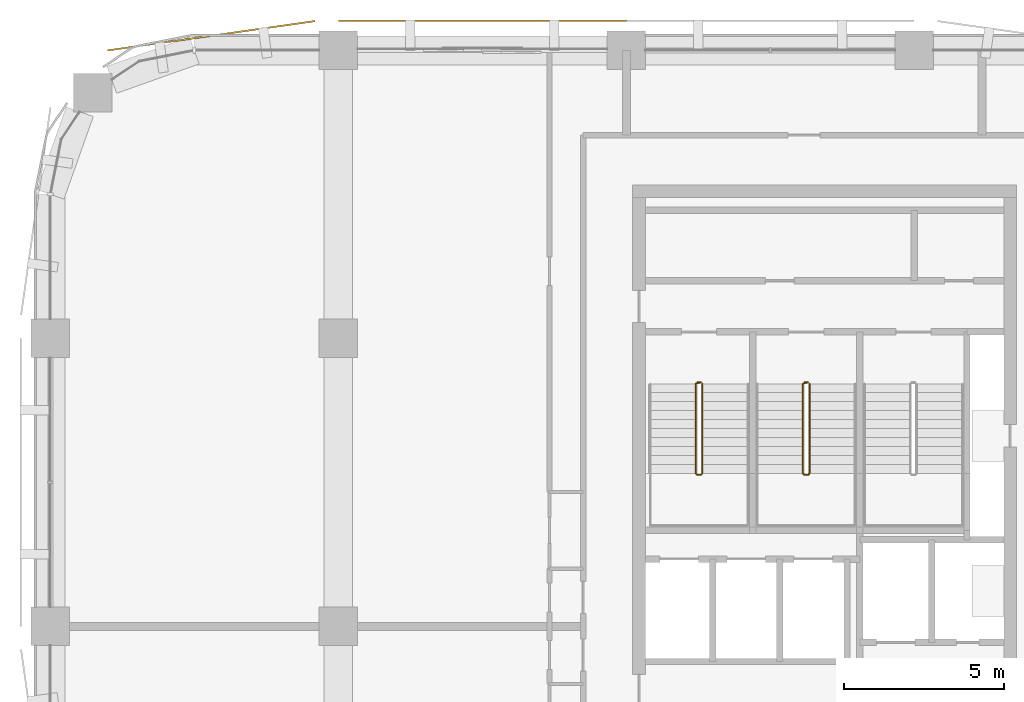
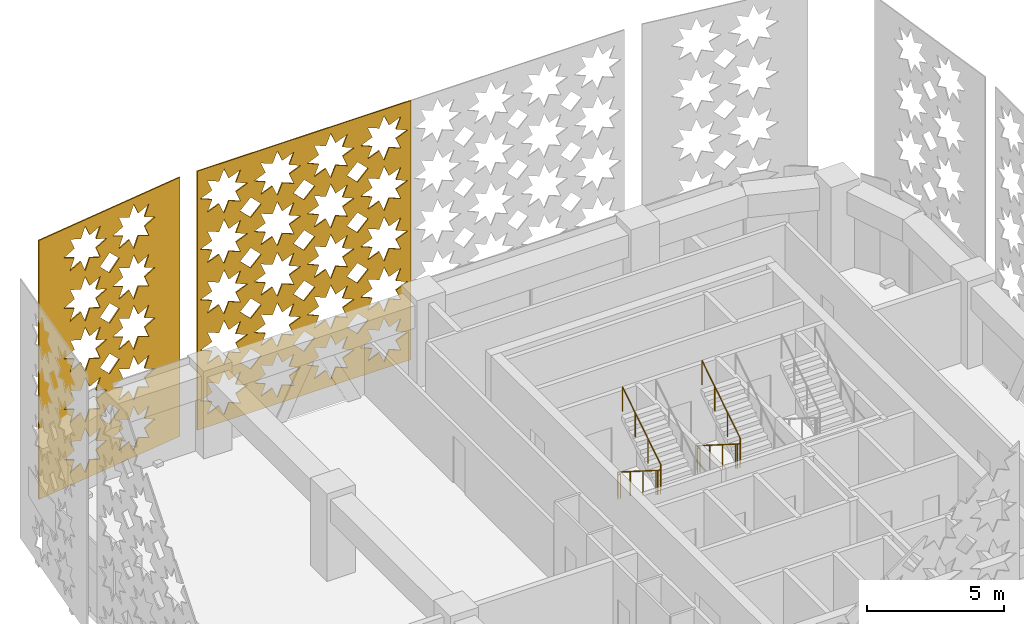
# One storey, part 12 of 14: 2 coverings, 2 railings.
"""IFC4 building model written with IfcOpenShell, lengths in metres."""

from ifc_helpers import new_model, si_unit, direction, frame, origin, origin_2d, place, context, subcontext, project, spatial, polyline, circle, outline, extrude, material, layer, layer_set, type_object, element, save


model = new_model("IFC4")

# Units and contexts
model_context = context("Model", 3, precision=1e-05, world=origin(), true_north=direction((0.0, 1.0)))
body_context = subcontext(model_context, "Body", "Model", "MODEL_VIEW")
ifc_project = project(units=[si_unit("LENGTHUNIT", "METRE"), si_unit("AREAUNIT", "SQUARE_METRE"), si_unit("VOLUMEUNIT", "CUBIC_METRE"), si_unit("PLANEANGLEUNIT", "RADIAN"), si_unit("MASSUNIT", "GRAM", prefix="KILO")], contexts=[model_context])

# Site, building, storey
site_placement = place(None, origin())
site = spatial("IfcSite", under=ifc_project, at=site_placement, CompositionType="ELEMENT")
building_placement = place(site_placement, origin())
building = spatial("IfcBuilding", under=site, at=building_placement, Name="Tessera Arch", CompositionType="ELEMENT")
storey_placement = place(building_placement, frame((0.0, 0.0, 269.60009765625)))
storey = spatial("IfcBuildingStorey", under=building, at=storey_placement, Name="L65", CompositionType="ELEMENT", Elevation=269.60009765625)

# Coverings
ifc_material_1 = material(Name="Anodised aluminium pale metal", Category="aluminium")
ifc_layer_1 = layer(ifc_material_1, 0.050048828125)
ifc_layer_set_1 = layer_set([ifc_layer_1], Name="Pierced screen panel corner bay")
covering_type_1 = type_object("IfcCoveringType", Name="Pierced screen panel corner bay", PredefinedType="CLADDING", material=ifc_layer_set_1)
covering_1_placement = place(storey_placement, frame((26.27392578125, 54.89111328125, 11.699951171875), z_axis=(0.140074186016, -0.990141011378, 0.0), x_axis=(-0.990141011378, -0.140074186016, 0.0)))
element("IfcCovering", 1, at=covering_1_placement, inside=storey, type_object=covering_type_1, Name="SCREEN pierced panel N54.18/3 L65-L67", PredefinedType="CLADDING", context=body_context, shape_type="SweptSolid", body=[
    extrude(outline(polyline([(0.0, 0.0), (6.546475218445481, 0.0), (6.546475218445481, 11.5400390625), (0.0, 11.5400390625), (0.0, 0.0)]), holes=[polyline([(3.1378926073747033, 10.27001953125), (2.646957140062835, 10.06298828125), (2.8479028079497066, 9.570068359375), (2.354999273675671, 9.77099609375), (2.147907671256942, 9.280029296875), (1.941990539265672, 9.77099609375), (1.4481200704102128, 9.570068359375), (1.6490657382970841, 10.06298828125), (1.158130270985216, 10.27001953125), (1.6490657382970841, 10.47705078125), (1.4481200704102128, 10.969970703125), (1.941990539265672, 10.76904296875), (2.147907671256942, 11.260009765625), (2.354999273675671, 10.76904296875), (2.8479028079497066, 10.969970703125), (2.646957140062835, 10.47705078125), (3.1378926073747033, 10.27001953125)]), polyline([(3.1378926073747033, 8.02001953125), (2.646957140062835, 7.81298828125), (2.8479028079497066, 7.320068359375), (2.354999273675671, 7.52099609375), (2.147907671256942, 7.030029296875), (1.941990539265672, 7.52099609375), (1.4481200704102128, 7.320068359375), (1.6490657382970841, 7.81298828125), (1.158130270985216, 8.02001953125), (1.6490657382970841, 8.22705078125), (1.4481200704102128, 8.719970703125), (1.941990539265672, 8.51904296875), (2.147907671256942, 9.010009765625), (2.354999273675671, 8.51904296875), (2.8479028079497066, 8.719970703125), (2.646957140062835, 8.22705078125), (3.1378926073747033, 8.02001953125)]), polyline([(3.1378926073747033, 5.77001953125), (2.646957140062835, 5.56298828125), (2.8479028079497066, 5.070068359375), (2.354999273675671, 5.27099609375), (2.147907671256942, 4.780029296875), (1.941990539265672, 5.27099609375), (1.4481200704102128, 5.070068359375), (1.6490657382970841, 5.56298828125), (1.158130270985216, 5.77001953125), (1.6490657382970841, 5.97705078125), (1.4481200704102128, 6.469970703125), (1.941990539265672, 6.26904296875), (2.147907671256942, 6.760009765625), (2.354999273675671, 6.26904296875), (2.8479028079497066, 6.469970703125), (2.646957140062835, 5.97705078125), (3.1378926073747033, 5.77001953125)]), polyline([(3.1378926073747033, 3.52001953125), (2.646957140062835, 3.31298828125), (2.8479028079497066, 2.820068359375), (2.354999273675671, 3.02099609375), (2.147907671256942, 2.530029296875), (1.941990539265672, 3.02099609375), (1.4481200704102128, 2.820068359375), (1.6490657382970841, 3.31298828125), (1.158130270985216, 3.52001953125), (1.6490657382970841, 3.72705078125), (1.4481200704102128, 4.219970703125), (1.941990539265672, 4.01904296875), (2.147907671256942, 4.510009765625), (2.354999273675671, 4.01904296875), (2.8479028079497066, 4.219970703125), (2.646957140062835, 3.72705078125), (3.1378926073747033, 3.52001953125)]), polyline([(3.1378926073747033, 1.27001953125), (2.646957140062835, 1.06298828125), (2.8479028079497066, 0.570068359375), (2.354999273675671, 0.77099609375), (2.147907671256942, 0.280029296875), (1.941990539265672, 0.77099609375), (1.4481200704102128, 0.570068359375), (1.6490657382970841, 1.06298828125), (1.158130270985216, 1.27001953125), (1.6490657382970841, 1.47705078125), (1.4481200704102128, 1.969970703125), (1.941990539265672, 1.76904296875), (2.147907671256942, 2.260009765625), (2.354999273675671, 1.76904296875), (2.8479028079497066, 1.969970703125), (2.646957140062835, 1.47705078125), (3.1378926073747033, 1.27001953125)]), polyline([(5.387861480169554, 10.27001953125), (4.896926012857686, 10.06298828125), (5.097871680744557, 9.570068359375), (4.604968146470521, 9.77099609375), (4.398118277697149, 9.280029296875), (4.191959412060523, 9.77099609375), (3.698088943205064, 9.570068359375), (3.899034611091935, 10.06298828125), (3.408099143780067, 10.27001953125), (3.899034611091935, 10.47705078125), (3.698088943205064, 10.969970703125), (4.191959412060523, 10.76904296875), (4.398118277697149, 11.260009765625), (4.604968146470521, 10.76904296875), (5.097871680744557, 10.969970703125), (4.896926012857686, 10.47705078125), (5.387861480169554, 10.27001953125)]), polyline([(5.387861480169554, 8.02001953125), (4.896926012857686, 7.81298828125), (5.097871680744557, 7.320068359375), (4.604968146470521, 7.52099609375), (4.398118277697149, 7.030029296875), (4.191959412060523, 7.52099609375), (3.698088943205064, 7.320068359375), (3.899034611091935, 7.81298828125), (3.408099143780067, 8.02001953125), (3.899034611091935, 8.22705078125), (3.698088943205064, 8.719970703125), (4.191959412060523, 8.51904296875), (4.398118277697149, 9.010009765625), (4.604968146470521, 8.51904296875), (5.097871680744557, 8.719970703125), (4.896926012857686, 8.22705078125), (5.387861480169554, 8.02001953125)]), polyline([(5.387861480169554, 5.77001953125), (4.896926012857686, 5.56298828125), (5.097871680744557, 5.070068359375), (4.604968146470521, 5.27099609375), (4.398118277697149, 4.780029296875), (4.191959412060523, 5.27099609375), (3.698088943205064, 5.070068359375), (3.899034611091935, 5.56298828125), (3.408099143780067, 5.77001953125), (3.899034611091935, 5.97705078125), (3.698088943205064, 6.469970703125), (4.191959412060523, 6.26904296875), (4.398118277697149, 6.760009765625), (4.604968146470521, 6.26904296875), (5.097871680744557, 6.469970703125), (4.896926012857686, 5.97705078125), (5.387861480169554, 5.77001953125)]), polyline([(5.387861480169554, 3.52001953125), (4.896926012857686, 3.31298828125), (5.097871680744557, 2.820068359375), (4.604968146470521, 3.02099609375), (4.398118277697149, 2.530029296875), (4.191959412060523, 3.02099609375), (3.698088943205064, 2.820068359375), (3.899034611091935, 3.31298828125), (3.408099143780067, 3.52001953125), (3.899034611091935, 3.72705078125), (3.698088943205064, 4.219970703125), (4.191959412060523, 4.01904296875), (4.398118277697149, 4.510009765625), (4.604968146470521, 4.01904296875), (5.097871680744557, 4.219970703125), (4.896926012857686, 3.72705078125), (5.387861480169554, 3.52001953125)]), polyline([(5.387861480169554, 1.27001953125), (4.896926012857686, 1.06298828125), (5.097871680744557, 0.570068359375), (4.604968146470521, 0.77099609375), (4.398118277697149, 0.280029296875), (4.191959412060523, 0.77099609375), (3.698088943205064, 0.570068359375), (3.899034611091935, 1.06298828125), (3.408099143780067, 1.27001953125), (3.899034611091935, 1.47705078125), (3.698088943205064, 1.969970703125), (4.191959412060523, 1.76904296875), (4.398118277697149, 2.260009765625), (4.604968146470521, 1.76904296875), (5.097871680744557, 1.969970703125), (4.896926012857686, 1.47705078125), (5.387861480169554, 1.27001953125)]), polyline([(3.7229828105764913, 9.14501953125), (3.2729958755773856, 8.695068359375), (2.823008940578279, 9.14501953125), (3.2729958755773856, 9.594970703125), (3.7229828105764913, 9.14501953125)]), polyline([(3.7229828105764913, 6.89501953125), (3.2729958755773856, 6.445068359375), (2.823008940578279, 6.89501953125), (3.2729958755773856, 7.344970703125), (3.7229828105764913, 6.89501953125)]), polyline([(3.7229828105764913, 4.64501953125), (3.2729958755773856, 4.195068359375), (2.823008940578279, 4.64501953125), (3.2729958755773856, 5.094970703125), (3.7229828105764913, 4.64501953125)]), polyline([(3.7229828105764913, 2.39501953125), (3.2729958755773856, 1.945068359375), (2.823008940578279, 2.39501953125), (3.2729958755773856, 2.844970703125), (3.7229828105764913, 2.39501953125)])]), origin(), (0.0, 0.0, -1.0), 0.050048828125),
])
ifc_material_2 = material(Name="Anodised aluminium pale metal", Category="aluminium")
ifc_layer_2 = layer(ifc_material_2, 0.050048828125)
ifc_layer_set_2 = layer_set([ifc_layer_2], Name="Pierced screen panel straight bay")
covering_type_2 = type_object("IfcCoveringType", Name="Pierced screen panel straight bay", PredefinedType="CLADDING", material=ifc_layer_set_2)
covering_2_placement = place(storey_placement, frame((36.0, 54.89990234375, 11.699951171875), z_axis=(0.0, -1.0, 0.0), x_axis=(-1.0, 0.0, 0.0)))
element("IfcCovering", 2, at=covering_2_placement, inside=storey, type_object=covering_type_2, Name="SCREEN pierced panel N54.18/2 L65-L67", PredefinedType="CLADDING", context=body_context, shape_type="SweptSolid", body=[
    extrude(outline(polyline([(0.0, 0.0), (9.0, 0.0), (9.0, 11.5400390625), (0.0, 11.5400390625), (0.0, 0.0)]), holes=[polyline([(2.114990234375, 10.27001953125), (1.6240234375, 10.06298828125), (1.824951171875, 9.570068359375), (1.33203125, 9.77099609375), (1.125, 9.280029296875), (0.91796875, 9.77099609375), (0.425048828125, 9.570068359375), (0.6259765625, 10.06298828125), (0.135009765625, 10.27001953125), (0.6259765625, 10.47705078125), (0.425048828125, 10.969970703125), (0.91796875, 10.76904296875), (1.125, 11.260009765625), (1.33203125, 10.76904296875), (1.824951171875, 10.969970703125), (1.6240234375, 10.47705078125), (2.114990234375, 10.27001953125)]), polyline([(2.114990234375, 8.02001953125), (1.6240234375, 7.81298828125), (1.824951171875, 7.320068359375), (1.33203125, 7.52099609375), (1.125, 7.030029296875), (0.91796875, 7.52099609375), (0.425048828125, 7.320068359375), (0.6259765625, 7.81298828125), (0.135009765625, 8.02001953125), (0.6259765625, 8.22705078125), (0.425048828125, 8.719970703125), (0.91796875, 8.51904296875), (1.125, 9.010009765625), (1.33203125, 8.51904296875), (1.824951171875, 8.719970703125), (1.6240234375, 8.22705078125), (2.114990234375, 8.02001953125)]), polyline([(2.114990234375, 5.77001953125), (1.6240234375, 5.56298828125), (1.824951171875, 5.070068359375), (1.33203125, 5.27099609375), (1.125, 4.780029296875), (0.91796875, 5.27099609375), (0.425048828125, 5.070068359375), (0.6259765625, 5.56298828125), (0.135009765625, 5.77001953125), (0.6259765625, 5.97705078125), (0.425048828125, 6.469970703125), (0.91796875, 6.26904296875), (1.125, 6.760009765625), (1.33203125, 6.26904296875), (1.824951171875, 6.469970703125), (1.6240234375, 5.97705078125), (2.114990234375, 5.77001953125)]), polyline([(2.114990234375, 3.52001953125), (1.6240234375, 3.31298828125), (1.824951171875, 2.820068359375), (1.33203125, 3.02099609375), (1.125, 2.530029296875), (0.91796875, 3.02099609375), (0.425048828125, 2.820068359375), (0.6259765625, 3.31298828125), (0.135009765625, 3.52001953125), (0.6259765625, 3.72705078125), (0.425048828125, 4.219970703125), (0.91796875, 4.01904296875), (1.125, 4.510009765625), (1.33203125, 4.01904296875), (1.824951171875, 4.219970703125), (1.6240234375, 3.72705078125), (2.114990234375, 3.52001953125)]), polyline([(2.114990234375, 1.27001953125), (1.6240234375, 1.06298828125), (1.824951171875, 0.570068359375), (1.33203125, 0.77099609375), (1.125, 0.280029296875), (0.91796875, 0.77099609375), (0.425048828125, 0.570068359375), (0.6259765625, 1.06298828125), (0.135009765625, 1.27001953125), (0.6259765625, 1.47705078125), (0.425048828125, 1.969970703125), (0.91796875, 1.76904296875), (1.125, 2.260009765625), (1.33203125, 1.76904296875), (1.824951171875, 1.969970703125), (1.6240234375, 1.47705078125), (2.114990234375, 1.27001953125)]), polyline([(4.364990234375, 10.27001953125), (3.8740234375, 10.06298828125), (4.074951171875, 9.570068359375), (3.58203125, 9.77099609375), (3.375, 9.280029296875), (3.16796875, 9.77099609375), (2.675048828125, 9.570068359375), (2.8759765625, 10.06298828125), (2.385009765625, 10.27001953125), (2.8759765625, 10.47705078125), (2.675048828125, 10.969970703125), (3.16796875, 10.76904296875), (3.375, 11.260009765625), (3.58203125, 10.76904296875), (4.074951171875, 10.969970703125), (3.8740234375, 10.47705078125), (4.364990234375, 10.27001953125)]), polyline([(4.364990234375, 8.02001953125), (3.8740234375, 7.81298828125), (4.074951171875, 7.320068359375), (3.58203125, 7.52099609375), (3.375, 7.030029296875), (3.16796875, 7.52099609375), (2.675048828125, 7.320068359375), (2.8759765625, 7.81298828125), (2.385009765625, 8.02001953125), (2.8759765625, 8.22705078125), (2.675048828125, 8.719970703125), (3.16796875, 8.51904296875), (3.375, 9.010009765625), (3.58203125, 8.51904296875), (4.074951171875, 8.719970703125), (3.8740234375, 8.22705078125), (4.364990234375, 8.02001953125)]), polyline([(4.364990234375, 5.77001953125), (3.8740234375, 5.56298828125), (4.074951171875, 5.070068359375), (3.58203125, 5.27099609375), (3.375, 4.780029296875), (3.16796875, 5.27099609375), (2.675048828125, 5.070068359375), (2.8759765625, 5.56298828125), (2.385009765625, 5.77001953125), (2.8759765625, 5.97705078125), (2.675048828125, 6.469970703125), (3.16796875, 6.26904296875), (3.375, 6.760009765625), (3.58203125, 6.26904296875), (4.074951171875, 6.469970703125), (3.8740234375, 5.97705078125), (4.364990234375, 5.77001953125)]), polyline([(4.364990234375, 3.52001953125), (3.8740234375, 3.31298828125), (4.074951171875, 2.820068359375), (3.58203125, 3.02099609375), (3.375, 2.530029296875), (3.16796875, 3.02099609375), (2.675048828125, 2.820068359375), (2.8759765625, 3.31298828125), (2.385009765625, 3.52001953125), (2.8759765625, 3.72705078125), (2.675048828125, 4.219970703125), (3.16796875, 4.01904296875), (3.375, 4.510009765625), (3.58203125, 4.01904296875), (4.074951171875, 4.219970703125), (3.8740234375, 3.72705078125), (4.364990234375, 3.52001953125)]), polyline([(4.364990234375, 1.27001953125), (3.8740234375, 1.06298828125), (4.074951171875, 0.570068359375), (3.58203125, 0.77099609375), (3.375, 0.280029296875), (3.16796875, 0.77099609375), (2.675048828125, 0.570068359375), (2.8759765625, 1.06298828125), (2.385009765625, 1.27001953125), (2.8759765625, 1.47705078125), (2.675048828125, 1.969970703125), (3.16796875, 1.76904296875), (3.375, 2.260009765625), (3.58203125, 1.76904296875), (4.074951171875, 1.969970703125), (3.8740234375, 1.47705078125), (4.364990234375, 1.27001953125)]), polyline([(6.614990234375, 10.27001953125), (6.1240234375, 10.06298828125), (6.324951171875, 9.570068359375), (5.83203125, 9.77099609375), (5.625, 9.280029296875), (5.41796875, 9.77099609375), (4.925048828125, 9.570068359375), (5.1259765625, 10.06298828125), (4.635009765625, 10.27001953125), (5.1259765625, 10.47705078125), (4.925048828125, 10.969970703125), (5.41796875, 10.76904296875), (5.625, 11.260009765625), (5.83203125, 10.76904296875), (6.324951171875, 10.969970703125), (6.1240234375, 10.47705078125), (6.614990234375, 10.27001953125)]), polyline([(6.614990234375, 8.02001953125), (6.1240234375, 7.81298828125), (6.324951171875, 7.320068359375), (5.83203125, 7.52099609375), (5.625, 7.030029296875), (5.41796875, 7.52099609375), (4.925048828125, 7.320068359375), (5.1259765625, 7.81298828125), (4.635009765625, 8.02001953125), (5.1259765625, 8.22705078125), (4.925048828125, 8.719970703125), (5.41796875, 8.51904296875), (5.625, 9.010009765625), (5.83203125, 8.51904296875), (6.324951171875, 8.719970703125), (6.1240234375, 8.22705078125), (6.614990234375, 8.02001953125)]), polyline([(6.614990234375, 5.77001953125), (6.1240234375, 5.56298828125), (6.324951171875, 5.070068359375), (5.83203125, 5.27099609375), (5.625, 4.780029296875), (5.41796875, 5.27099609375), (4.925048828125, 5.070068359375), (5.1259765625, 5.56298828125), (4.635009765625, 5.77001953125), (5.1259765625, 5.97705078125), (4.925048828125, 6.469970703125), (5.41796875, 6.26904296875), (5.625, 6.760009765625), (5.83203125, 6.26904296875), (6.324951171875, 6.469970703125), (6.1240234375, 5.97705078125), (6.614990234375, 5.77001953125)]), polyline([(6.614990234375, 3.52001953125), (6.1240234375, 3.31298828125), (6.324951171875, 2.820068359375), (5.83203125, 3.02099609375), (5.625, 2.530029296875), (5.41796875, 3.02099609375), (4.925048828125, 2.820068359375), (5.1259765625, 3.31298828125), (4.635009765625, 3.52001953125), (5.1259765625, 3.72705078125), (4.925048828125, 4.219970703125), (5.41796875, 4.01904296875), (5.625, 4.510009765625), (5.83203125, 4.01904296875), (6.324951171875, 4.219970703125), (6.1240234375, 3.72705078125), (6.614990234375, 3.52001953125)]), polyline([(6.614990234375, 1.27001953125), (6.1240234375, 1.06298828125), (6.324951171875, 0.570068359375), (5.83203125, 0.77099609375), (5.625, 0.280029296875), (5.41796875, 0.77099609375), (4.925048828125, 0.570068359375), (5.1259765625, 1.06298828125), (4.635009765625, 1.27001953125), (5.1259765625, 1.47705078125), (4.925048828125, 1.969970703125), (5.41796875, 1.76904296875), (5.625, 2.260009765625), (5.83203125, 1.76904296875), (6.324951171875, 1.969970703125), (6.1240234375, 1.47705078125), (6.614990234375, 1.27001953125)]), polyline([(8.864990234375, 10.27001953125), (8.3740234375, 10.06298828125), (8.574951171875, 9.570068359375), (8.08203125, 9.77099609375), (7.875, 9.280029296875), (7.66796875, 9.77099609375), (7.175048828125, 9.570068359375), (7.3759765625, 10.06298828125), (6.885009765625, 10.27001953125), (7.3759765625, 10.47705078125), (7.175048828125, 10.969970703125), (7.66796875, 10.76904296875), (7.875, 11.260009765625), (8.08203125, 10.76904296875), (8.574951171875, 10.969970703125), (8.3740234375, 10.47705078125), (8.864990234375, 10.27001953125)]), polyline([(8.864990234375, 8.02001953125), (8.3740234375, 7.81298828125), (8.574951171875, 7.320068359375), (8.08203125, 7.52099609375), (7.875, 7.030029296875), (7.66796875, 7.52099609375), (7.175048828125, 7.320068359375), (7.3759765625, 7.81298828125), (6.885009765625, 8.02001953125), (7.3759765625, 8.22705078125), (7.175048828125, 8.719970703125), (7.66796875, 8.51904296875), (7.875, 9.010009765625), (8.08203125, 8.51904296875), (8.574951171875, 8.719970703125), (8.3740234375, 8.22705078125), (8.864990234375, 8.02001953125)]), polyline([(8.864990234375, 5.77001953125), (8.3740234375, 5.56298828125), (8.574951171875, 5.070068359375), (8.08203125, 5.27099609375), (7.875, 4.780029296875), (7.66796875, 5.27099609375), (7.175048828125, 5.070068359375), (7.3759765625, 5.56298828125), (6.885009765625, 5.77001953125), (7.3759765625, 5.97705078125), (7.175048828125, 6.469970703125), (7.66796875, 6.26904296875), (7.875, 6.760009765625), (8.08203125, 6.26904296875), (8.574951171875, 6.469970703125), (8.3740234375, 5.97705078125), (8.864990234375, 5.77001953125)]), polyline([(8.864990234375, 3.52001953125), (8.3740234375, 3.31298828125), (8.574951171875, 2.820068359375), (8.08203125, 3.02099609375), (7.875, 2.530029296875), (7.66796875, 3.02099609375), (7.175048828125, 2.820068359375), (7.3759765625, 3.31298828125), (6.885009765625, 3.52001953125), (7.3759765625, 3.72705078125), (7.175048828125, 4.219970703125), (7.66796875, 4.01904296875), (7.875, 4.510009765625), (8.08203125, 4.01904296875), (8.574951171875, 4.219970703125), (8.3740234375, 3.72705078125), (8.864990234375, 3.52001953125)]), polyline([(8.864990234375, 1.27001953125), (8.3740234375, 1.06298828125), (8.574951171875, 0.570068359375), (8.08203125, 0.77099609375), (7.875, 0.280029296875), (7.66796875, 0.77099609375), (7.175048828125, 0.570068359375), (7.3759765625, 1.06298828125), (6.885009765625, 1.27001953125), (7.3759765625, 1.47705078125), (7.175048828125, 1.969970703125), (7.66796875, 1.76904296875), (7.875, 2.260009765625), (8.08203125, 1.76904296875), (8.574951171875, 1.969970703125), (8.3740234375, 1.47705078125), (8.864990234375, 1.27001953125)]), polyline([(2.699951171875, 9.14501953125), (2.25, 8.695068359375), (1.800048828125, 9.14501953125), (2.25, 9.594970703125), (2.699951171875, 9.14501953125)]), polyline([(2.699951171875, 6.89501953125), (2.25, 6.445068359375), (1.800048828125, 6.89501953125), (2.25, 7.344970703125), (2.699951171875, 6.89501953125)]), polyline([(2.699951171875, 4.64501953125), (2.25, 4.195068359375), (1.800048828125, 4.64501953125), (2.25, 5.094970703125), (2.699951171875, 4.64501953125)]), polyline([(2.699951171875, 2.39501953125), (2.25, 1.945068359375), (1.800048828125, 2.39501953125), (2.25, 2.844970703125), (2.699951171875, 2.39501953125)]), polyline([(4.949951171875, 9.14501953125), (4.5, 8.695068359375), (4.050048828125, 9.14501953125), (4.5, 9.594970703125), (4.949951171875, 9.14501953125)]), polyline([(4.949951171875, 6.89501953125), (4.5, 6.445068359375), (4.050048828125, 6.89501953125), (4.5, 7.344970703125), (4.949951171875, 6.89501953125)]), polyline([(4.949951171875, 4.64501953125), (4.5, 4.195068359375), (4.050048828125, 4.64501953125), (4.5, 5.094970703125), (4.949951171875, 4.64501953125)]), polyline([(4.949951171875, 2.39501953125), (4.5, 1.945068359375), (4.050048828125, 2.39501953125), (4.5, 2.844970703125), (4.949951171875, 2.39501953125)]), polyline([(7.199951171875, 9.14501953125), (6.75, 8.695068359375), (6.300048828125, 9.14501953125), (6.75, 9.594970703125), (7.199951171875, 9.14501953125)]), polyline([(7.199951171875, 6.89501953125), (6.75, 6.445068359375), (6.300048828125, 6.89501953125), (6.75, 7.344970703125), (7.199951171875, 6.89501953125)]), polyline([(7.199951171875, 4.64501953125), (6.75, 4.195068359375), (6.300048828125, 4.64501953125), (6.75, 5.094970703125), (7.199951171875, 4.64501953125)]), polyline([(7.199951171875, 2.39501953125), (6.75, 1.945068359375), (6.300048828125, 2.39501953125), (6.75, 2.844970703125), (7.199951171875, 2.39501953125)])]), origin(), (0.0, 0.0, -1.0), 0.050048828125),
])

# Railings
ifc_material_3 = material(Name="Painted steel balustrade", Category="steel")
railing_type = type_object("IfcRailingType", Name="Stair guard 1100", PredefinedType="GUARDRAIL", material=ifc_material_3)
railing_1_placement = place(storey_placement, frame((38.219970703125, 43.6298828125, 0.0)))
element("IfcRailing", 3, at=railing_1_placement, inside=storey, type_object=railing_type, Name="L65 S1a stair guard 1", PredefinedType="GUARDRAIL", context=body_context, shape_type="SweptSolid", body=[
    extrude(circle(Radius=0.02392578125, at=origin_2d()), frame((-0.00390625, 0.0, 1.076171875), z_axis=(1.0, 0.0, 0.0), x_axis=(0.0, 1.0, 0.0)), (0.0, 0.0, 1.0), 0.1181640625),
    extrude(circle(Radius=0.02392578125, at=origin_2d()), frame((0.11279296875, 0.000732421875, 1.0732421875), z_axis=(-0.656319048605, -0.204099216335, 0.726353093426), x_axis=(0.296948579431, -0.954893471113, 0.0)), (0.0, 0.0, 1.0), 0.251953125),
    extrude(circle(Radius=0.02392578125, at=origin_2d()), frame((-0.050048828125, -0.04638671875, 1.251220703125), z_axis=(0.0, -0.844908973607, 0.534910110503), x_axis=(1.0, 0.0, 0.0)), (0.0, 0.0, 1.0), 3.322021484375),
    extrude(circle(Radius=0.02392578125, at=origin_2d()), frame((-0.052978515625, -2.846923828125, 3.02587890625), z_axis=(0.707106781187, -0.707106781187, 0.0), x_axis=(0.707106781187, 0.707106781187, 0.0)), (0.0, 0.0, 1.0), 0.078857421875),
    extrude(circle(Radius=0.02392578125, at=origin_2d()), frame((-0.00390625, -2.89990234375, 3.02587890625), z_axis=(1.0, 0.0, 0.0), x_axis=(0.0, 1.0, 0.0)), (0.0, 0.0, 1.0), 0.1181640625),
    extrude(circle(Radius=0.02392578125, at=origin_2d()), frame((0.109130859375, -2.90087890625, 3.022216796875), z_axis=(0.261041864531, 0.262321481514, 0.929001929653), x_axis=(-0.708833529934, 0.705375805398, 0.0)), (0.0, 0.0, 1.0), 0.19873046875),
    extrude(circle(Radius=0.02392578125, at=origin_2d()), frame((0.159912109375, -2.853271484375, 3.201171875), z_axis=(0.0, 0.844908973607, 0.534910110503), x_axis=(-1.0, 0.0, 0.0)), (0.0, 0.0, 1.0), 3.322021484375),
    extrude(circle(Radius=0.02099609375, at=origin_2d()), origin(), (0.0, 0.0, 1.0), 1.06396484375),
    extrude(circle(Radius=0.02099609375, at=origin_2d()), frame((0.110107421875, 0.0, 0.0)), (0.0, 0.0, 1.0), 1.06396484375),
    extrude(circle(Radius=0.02099609375, at=origin_2d()), frame((-0.050048828125, -0.0498046875, 0.17724609375)), (0.0, 0.0, 1.0), 1.06396484375),
    extrude(circle(Radius=0.02099609375, at=origin_2d()), frame((-0.050048828125, -0.983154296875, 0.76806640625)), (0.0, 0.0, 1.0), 1.06396484375),
    extrude(circle(Radius=0.02099609375, at=origin_2d()), frame((-0.050048828125, -1.91650390625, 1.359130859375)), (0.0, 0.0, 1.0), 1.06396484375),
    extrude(circle(Radius=0.02099609375, at=origin_2d()), frame((-0.050048828125, -2.849853515625, 1.949951171875)), (0.0, 0.0, 1.0), 1.06396484375),
    extrude(circle(Radius=0.02099609375, at=origin_2d()), frame((0.0, -2.89990234375, 1.949951171875)), (0.0, 0.0, 1.0), 1.06396484375),
    extrude(circle(Radius=0.02099609375, at=origin_2d()), frame((0.110107421875, -2.89990234375, 1.949951171875)), (0.0, 0.0, 1.0), 1.06396484375),
    extrude(circle(Radius=0.02099609375, at=origin_2d()), frame((0.159912109375, -2.849853515625, 2.127197265625)), (0.0, 0.0, 1.0), 1.06396484375),
    extrude(circle(Radius=0.02099609375, at=origin_2d()), frame((0.159912109375, -1.91650390625, 2.718017578125)), (0.0, 0.0, 1.0), 1.06396484375),
    extrude(circle(Radius=0.02099609375, at=origin_2d()), frame((0.159912109375, -0.983154296875, 3.30908203125)), (0.0, 0.0, 1.0), 1.06396484375),
    extrude(circle(Radius=0.02099609375, at=origin_2d()), frame((0.159912109375, -0.0498046875, 3.89990234375)), (0.0, 0.0, 1.0), 1.06396484375),
])
railing_2_placement = place(storey_placement, frame((41.570068359375, 43.6298828125, 0.0)))
element("IfcRailing", 4, at=railing_2_placement, inside=storey, type_object=railing_type, Name="L65 S1b stair guard 1", PredefinedType="GUARDRAIL", context=body_context, shape_type="SweptSolid", body=[
    extrude(circle(Radius=0.02392578125, at=origin_2d()), frame((-0.00390625, 0.0, 1.076171875), z_axis=(1.0, 0.0, 0.0), x_axis=(0.0, 1.0, 0.0)), (0.0, 0.0, 1.0), 0.117919921875),
    extrude(circle(Radius=0.02392578125, at=origin_2d()), frame((0.112548828125, 0.000732421875, 1.0732421875), z_axis=(-0.65574896516, -0.204233265485, 0.726830150696), x_axis=(0.297361876254, -0.954764847777, 0.0)), (0.0, 0.0, 1.0), 0.251953125),
    extrude(circle(Radius=0.02392578125, at=origin_2d()), frame((-0.050048828125, -0.04638671875, 1.251220703125), z_axis=(0.0, -0.844908973607, 0.534910110503), x_axis=(1.0, 0.0, 0.0)), (0.0, 0.0, 1.0), 3.322021484375),
    extrude(circle(Radius=0.02392578125, at=origin_2d()), frame((-0.052978515625, -2.846923828125, 3.02587890625), z_axis=(0.707106781187, -0.707106781187, 0.0), x_axis=(0.707106781187, 0.707106781187, 0.0)), (0.0, 0.0, 1.0), 0.078857421875),
    extrude(circle(Radius=0.02392578125, at=origin_2d()), frame((-0.00390625, -2.89990234375, 3.02587890625), z_axis=(1.0, 0.0, 0.0), x_axis=(0.0, 1.0, 0.0)), (0.0, 0.0, 1.0), 0.117919921875),
    extrude(circle(Radius=0.02392578125, at=origin_2d()), frame((0.10888671875, -2.90087890625, 3.022216796875), z_axis=(0.262233686654, 0.262233686654, 0.928691007369), x_axis=(-0.707106781187, 0.707106781187, 0.0)), (0.0, 0.0, 1.0), 0.198974609375),
    extrude(circle(Radius=0.02392578125, at=origin_2d()), frame((0.159912109375, -2.853271484375, 3.201171875), z_axis=(0.0, 0.844908973607, 0.534910110503), x_axis=(-1.0, 0.0, 0.0)), (0.0, 0.0, 1.0), 3.322021484375),
    extrude(circle(Radius=0.02099609375, at=origin_2d()), origin(), (0.0, 0.0, 1.0), 1.06396484375),
    extrude(circle(Radius=0.02099609375, at=origin_2d()), frame((0.10986328125, 0.0, 0.0)), (0.0, 0.0, 1.0), 1.06396484375),
    extrude(circle(Radius=0.02099609375, at=origin_2d()), frame((-0.050048828125, -0.0498046875, 0.17724609375)), (0.0, 0.0, 1.0), 1.06396484375),
    extrude(circle(Radius=0.02099609375, at=origin_2d()), frame((-0.050048828125, -0.983154296875, 0.76806640625)), (0.0, 0.0, 1.0), 1.06396484375),
    extrude(circle(Radius=0.02099609375, at=origin_2d()), frame((-0.050048828125, -1.91650390625, 1.359130859375)), (0.0, 0.0, 1.0), 1.06396484375),
    extrude(circle(Radius=0.02099609375, at=origin_2d()), frame((-0.050048828125, -2.849853515625, 1.949951171875)), (0.0, 0.0, 1.0), 1.06396484375),
    extrude(circle(Radius=0.02099609375, at=origin_2d()), frame((0.0, -2.89990234375, 1.949951171875)), (0.0, 0.0, 1.0), 1.06396484375),
    extrude(circle(Radius=0.02099609375, at=origin_2d()), frame((0.10986328125, -2.89990234375, 1.949951171875)), (0.0, 0.0, 1.0), 1.06396484375),
    extrude(circle(Radius=0.02099609375, at=origin_2d()), frame((0.159912109375, -2.849853515625, 2.127197265625)), (0.0, 0.0, 1.0), 1.06396484375),
    extrude(circle(Radius=0.02099609375, at=origin_2d()), frame((0.159912109375, -1.91650390625, 2.718017578125)), (0.0, 0.0, 1.0), 1.06396484375),
    extrude(circle(Radius=0.02099609375, at=origin_2d()), frame((0.159912109375, -0.983154296875, 3.30908203125)), (0.0, 0.0, 1.0), 1.06396484375),
    extrude(circle(Radius=0.02099609375, at=origin_2d()), frame((0.159912109375, -0.0498046875, 3.89990234375)), (0.0, 0.0, 1.0), 1.06396484375),
])

save(model, "model.ifc")
